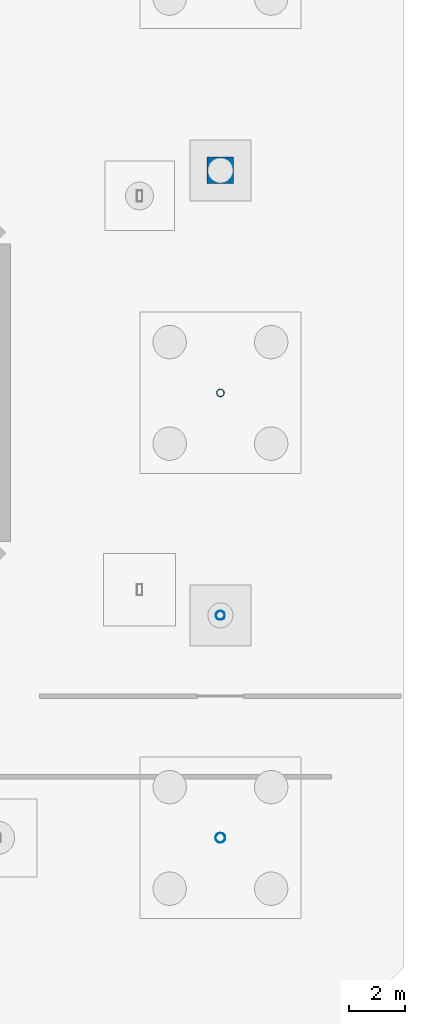
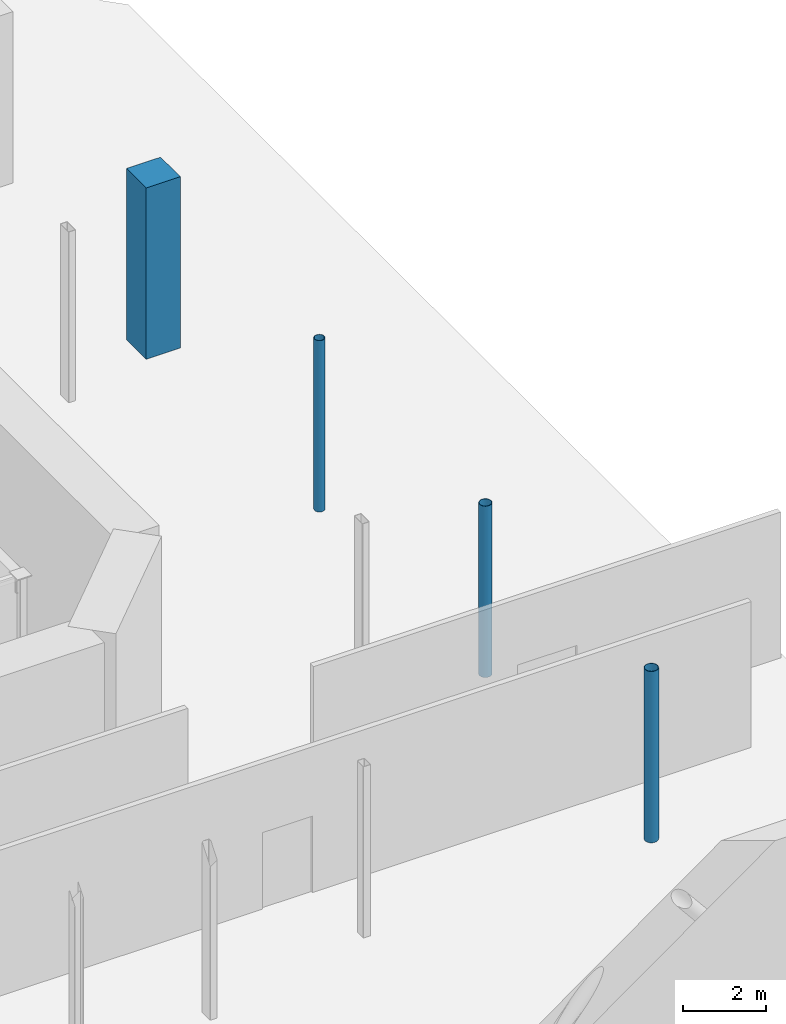
# One storey, part 12 of 33: 4 columns.
"""IFC4 building model written with IfcOpenShell, lengths in metres."""

from ifc_helpers import new_model, si_unit, direction, frame, origin, origin_2d, place, context, subcontext, project, spatial, rectangle, hollow_circle, extrude, material, material_profile, profile_set, type_object, element, save


model = new_model("IFC4")

# Units and contexts
model_context = context("Model", 3, precision=1e-05, world=origin(), true_north=direction((0.0, 1.0)))
body_context = subcontext(model_context, "Body", "Model", "MODEL_VIEW")
ifc_project = project(units=[si_unit("LENGTHUNIT", "METRE"), si_unit("AREAUNIT", "SQUARE_METRE"), si_unit("VOLUMEUNIT", "CUBIC_METRE"), si_unit("PLANEANGLEUNIT", "RADIAN"), si_unit("MASSUNIT", "GRAM", prefix="KILO")], contexts=[model_context])

# Site, building, storey
site_placement = place(None, origin())
site = spatial("IfcSite", under=ifc_project, at=site_placement, CompositionType="ELEMENT")
building_placement = place(site_placement, origin())
building = spatial("IfcBuilding", under=site, at=building_placement, Name="Brisemont Oceanarium", CompositionType="ELEMENT")
storey_placement = place(building_placement, frame((0.0, 0.0, -5.39990234375)))
storey = spatial("IfcBuildingStorey", under=building, at=storey_placement, Name="B01", CompositionType="ELEMENT", Elevation=-5.39990234375)

# Columns
ifc_material_1 = material(Name="Structural Steel ASTM A500 Gr.C", Category="steel")
ifc_material_profile_1 = material_profile(ifc_material_1, hollow_circle(Radius=0.136474609375, WallThickness=0.01171875, at=origin_2d()), Name="HSS10.750X0.500")
ifc_profile_set_1 = profile_set([ifc_material_profile_1], Name="Structural Steel ASTM A500 Gr.C")
column_type_1 = type_object("IfcColumnType", Name="COL-CHS10", PredefinedType="COLUMN", material=ifc_profile_set_1)
column_1_placement = place(storey_placement, frame((104.0, 56.0, 0.0), z_axis=(0.0, 0.0, 1.0), x_axis=(0.0, 1.0, 0.0)))
element("IfcColumn", 1, at=column_1_placement, inside=storey, type_object=column_type_1, Name="V1 B01 column (6,3)", PredefinedType="COLUMN", context=body_context, shape_type="SweptSolid", body=[
    extrude(hollow_circle(Radius=0.136474609375, WallThickness=0.01171875, at=origin_2d()), origin(), (0.0, 0.0, 1.0), 5.039794921875),
])
ifc_material_2 = material(Name="Structural Steel ASTM A500 Gr.C", Category="steel")
ifc_material_profile_2 = material_profile(ifc_material_2, hollow_circle(Radius=0.162109375, WallThickness=0.01171875, at=origin_2d()), Name="HSS12.750X0.500")
ifc_profile_set_2 = profile_set([ifc_material_profile_2], Name="Structural Steel ASTM A500 Gr.C")
column_type_2 = type_object("IfcColumnType", Name="COL-CHS12", PredefinedType="COLUMN", material=ifc_profile_set_2)
column_2_placement = place(storey_placement, frame((104.0, 48.0, 0.0), z_axis=(0.0, 0.0, 1.0), x_axis=(1.0, 0.0, 0.0)))
element("IfcColumn", 2, at=column_2_placement, inside=storey, type_object=column_type_2, Name="V1 B01 column (6,2)", PredefinedType="COLUMN", context=body_context, shape_type="SweptSolid", body=[
    extrude(hollow_circle(Radius=0.162109375, WallThickness=0.01171875, at=origin_2d()), origin(), (0.0, 0.0, 1.0), 5.039794921875),
])
ifc_material_3 = material(Name="Structural Steel ASTM A500 Gr.C", Category="steel")
ifc_material_profile_3 = material_profile(ifc_material_3, hollow_circle(Radius=0.177978515625, WallThickness=0.01171875, at=origin_2d()), Name="HSS14.000X0.500")
ifc_profile_set_3 = profile_set([ifc_material_profile_3], Name="Structural Steel ASTM A500 Gr.C")
column_type_3 = type_object("IfcColumnType", Name="COL-CHS14", PredefinedType="COLUMN", material=ifc_profile_set_3)
column_3_placement = place(storey_placement, frame((104.0, 40.0, 0.0), z_axis=(0.0, 0.0, 1.0), x_axis=(0.0, 1.0, 0.0)))
element("IfcColumn", 3, at=column_3_placement, inside=storey, type_object=column_type_3, Name="V1 B01 column (6,1)", PredefinedType="COLUMN", context=body_context, shape_type="SweptSolid", body=[
    extrude(hollow_circle(Radius=0.177978515625, WallThickness=0.01171875, at=origin_2d()), origin(), (0.0, 0.0, 1.0), 5.039794921875),
])
ifc_material_4 = material(Name="Concrete C40/50", Category="concrete")
ifc_material_profile_4 = material_profile(ifc_material_4, rectangle(XDim=0.949951171875, YDim=0.949951171875, at=origin_2d()), Name="RC-COL-950X950")
ifc_profile_set_4 = profile_set([ifc_material_profile_4], Name="Concrete C40/50")
column_type_4 = type_object("IfcColumnType", Name="COL-RC950", PredefinedType="COLUMN", material=ifc_profile_set_4)
column_4_placement = place(storey_placement, frame((104.0, 64.0, 0.0), z_axis=(0.0, 0.0, 1.0), x_axis=(1.0, 0.0, 0.0)))
element("IfcColumn", 4, at=column_4_placement, inside=storey, type_object=column_type_4, Name="V1 B01 column (6,4)", PredefinedType="COLUMN", context=body_context, shape_type="SweptSolid", body=[
    extrude(rectangle(XDim=0.949951171875, YDim=0.949951171875, at=origin_2d()), origin(), (0.0, 0.0, 1.0), 5.039794921875),
])

save(model, "model.ifc")
